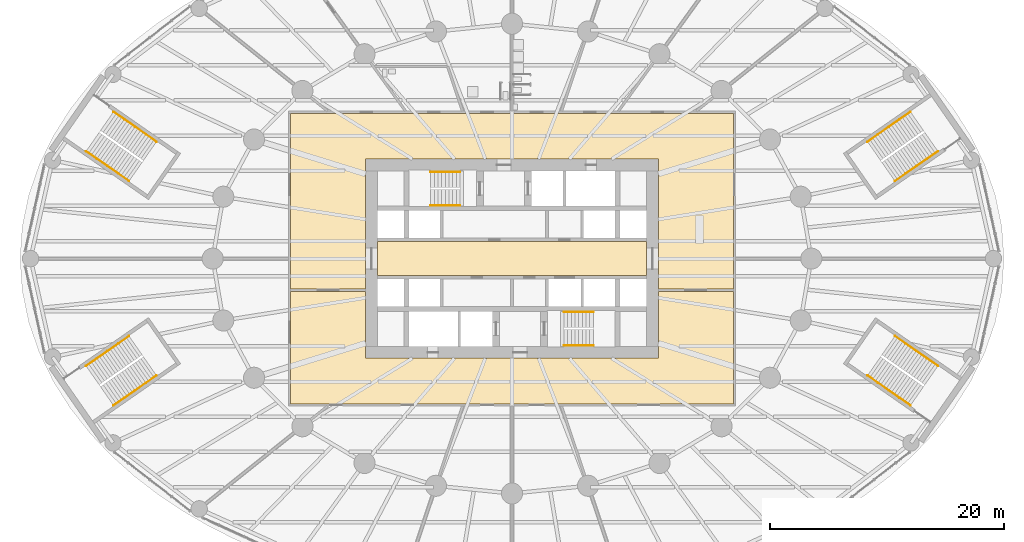
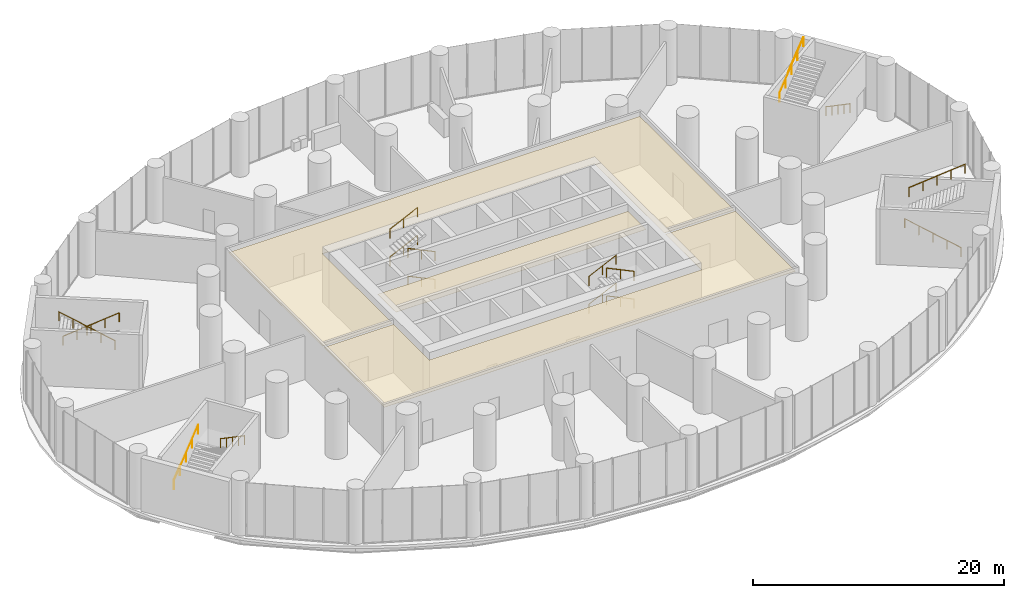
# One storey, part 20 of 23: 16 railings, 3 coverings.
"""IFC4 building model written with IfcOpenShell, lengths in metres."""

from ifc_helpers import new_model, si_unit, direction, frame, origin, origin_2d, place, context, subcontext, project, spatial, polyline, circle, outline, extrude, material, layer, layer_set, type_object, element, save


model = new_model("IFC4")

# Units and contexts
model_context = context("Model", 3, precision=1e-05, world=origin(), true_north=direction((0.0, 1.0)))
body_context = subcontext(model_context, "Body", "Model", "MODEL_VIEW")
ifc_project = project(units=[si_unit("LENGTHUNIT", "METRE"), si_unit("AREAUNIT", "SQUARE_METRE"), si_unit("VOLUMEUNIT", "CUBIC_METRE"), si_unit("PLANEANGLEUNIT", "RADIAN"), si_unit("MASSUNIT", "GRAM", prefix="KILO")], contexts=[model_context])

# Site, building, storey
site_placement = place(None, origin())
site = spatial("IfcSite", under=ifc_project, at=site_placement, CompositionType="ELEMENT")
building_placement = place(site_placement, origin())
building = spatial("IfcBuilding", under=site, at=building_placement, Name="Hankou Lantern Tower", CompositionType="ELEMENT")
storey_placement = place(building_placement, frame((0.0, 0.0, 19.199951171875)))
storey = spatial("IfcBuildingStorey", under=building, at=storey_placement, Name="L03", CompositionType="ELEMENT", Elevation=19.199951171875)

# Coverings
ifc_material_1 = material(Name="Black painted aluminium linear ceiling panels", Category="aluminium")
ifc_layer_1 = layer(ifc_material_1, 0.02490234375)
ifc_layer_set_1 = layer_set([ifc_layer_1], Name="Black painted aluminium linear ceiling panels")
covering_type_1 = type_object("IfcCoveringType", Name="CL1 CORRIDOR CEILING 25", PredefinedType="CEILING", material=ifc_layer_set_1)
covering_1_placement = place(storey_placement, frame((0.0, 0.0, 4.675048828125)))
element("IfcCovering", 1, at=covering_1_placement, inside=storey, type_object=covering_type_1, Name="Corridor ceiling L03", PredefinedType="CEILING", context=body_context, shape_type="SweptSolid", body=[
    extrude(outline(polyline([(-18.89990234375, 12.39990234375), (-18.89990234375, -2.60009765625), (-12.5, -2.60009765625), (-12.5, 8.5), (12.5, 8.5), (12.5, -2.60009765625), (18.89990234375, -2.60009765625), (18.89990234375, 12.39990234375), (-18.89990234375, 12.39990234375)])), origin(), (0.0, 0.0, 1.0), 0.02490234375),
])
covering_2_placement = place(storey_placement, frame((0.0, 0.0, 4.675048828125)))
element("IfcCovering", 2, at=covering_2_placement, inside=storey, type_object=covering_type_1, Name="Corridor ceiling L03", PredefinedType="CEILING", context=body_context, shape_type="SweptSolid", body=[
    extrude(outline(polyline([(18.89990234375, -2.800048828125), (12.5, -2.800048828125), (12.5, -8.5), (-12.5, -8.5), (-12.5, -2.800048828125), (-18.89990234375, -2.800048828125), (-18.89990234375, -12.39990234375), (18.89990234375, -12.39990234375), (18.89990234375, -2.800048828125)])), origin(), (0.0, 0.0, 1.0), 0.02490234375),
])
ifc_material_2 = material(Name="Perforated black aluminium acoustic tray ceiling", Category="aluminium")
ifc_layer_2 = layer(ifc_material_2, 0.014892578125)
ifc_layer_set_2 = layer_set([ifc_layer_2], Name="Perforated black aluminium acoustic tray ceiling")
covering_type_2 = type_object("IfcCoveringType", Name="CL2 LIFT LOBBY CEILING 15", PredefinedType="CEILING", material=ifc_layer_set_2)
covering_3_placement = place(storey_placement, frame((0.0, 0.0, 4.68505859375)))
element("IfcCovering", 3, at=covering_3_placement, inside=storey, type_object=covering_type_2, Name="Lift lobby ceiling L03", PredefinedType="CEILING", context=body_context, shape_type="SweptSolid", body=[
    extrude(outline(polyline([(-11.5, -1.449951171875), (11.5, -1.449951171875), (11.5, 1.449951171875), (-11.5, 1.449951171875), (-11.5, -1.449951171875)])), origin(), (0.0, 0.0, 1.0), 0.014892578125),
])

# Railings
ifc_material_3 = material(Name="Steel handrail", Category="steel")
railing_type = type_object("IfcRailingType", Name="HR1 STAIR HANDRAIL", PredefinedType="HANDRAIL", material=ifc_material_3)
railing_1_placement = place(storey_placement, frame((-4.429931640625, 4.550048828125, 0.900146484375)))
element("IfcRailing", 4, at=railing_1_placement, inside=storey, type_object=railing_type, Name="Handrail stair STA L03 flight 1", PredefinedType="HANDRAIL", context=body_context, shape_type="SweptSolid", body=[
    extrude(circle(Radius=0.02392578125, at=origin_2d()), frame((0.0, 0.0, 0.8759765625), z_axis=(-0.902868602797, 0.0, 0.429916603638), x_axis=(0.0, -1.0, 0.0)), (0.0, 0.0, 1.0), 2.791015625),
    extrude(circle(Radius=0.02099609375, at=origin_2d()), origin(), (0.0, 0.0, 1.0), 0.851806640625),
    extrude(circle(Radius=0.02099609375, at=origin_2d()), frame((-1.260009765625, 0.0, 0.60009765625)), (0.0, 0.0, 1.0), 0.851806640625),
    extrude(circle(Radius=0.02099609375, at=origin_2d()), frame((-2.52001953125, 0.0, 1.199951171875)), (0.0, 0.0, 1.0), 0.851806640625),
])
railing_2_placement = place(storey_placement, frame((-6.949951171875, 7.39990234375, 2.25)))
element("IfcRailing", 5, at=railing_2_placement, inside=storey, type_object=railing_type, Name="Handrail stair STA L03 flight 2", PredefinedType="HANDRAIL", context=body_context, shape_type="SweptSolid", body=[
    extrude(circle(Radius=0.02392578125, at=origin_2d()), frame((0.0, 0.0, 0.8759765625), z_axis=(0.902868602797, 0.0, 0.429916603638), x_axis=(0.0, 1.0, 0.0)), (0.0, 0.0, 1.0), 2.791015625),
    extrude(circle(Radius=0.02099609375, at=origin_2d()), origin(), (0.0, 0.0, 1.0), 0.851806640625),
    extrude(circle(Radius=0.02099609375, at=origin_2d()), frame((1.260009765625, 0.0, 0.60009765625)), (0.0, 0.0, 1.0), 0.851806640625),
    extrude(circle(Radius=0.02099609375, at=origin_2d()), frame((2.52001953125, 0.0, 1.199951171875)), (0.0, 0.0, 1.0), 0.851806640625),
])
railing_3_placement = place(storey_placement, frame((-4.429931640625, 4.550048828125, 3.60009765625)))
element("IfcRailing", 6, at=railing_3_placement, inside=storey, type_object=railing_type, Name="Handrail stair STA L03 flight 3", PredefinedType="HANDRAIL", context=body_context, shape_type="SweptSolid", body=[
    extrude(circle(Radius=0.02392578125, at=origin_2d()), frame((0.0, 0.0, 0.8759765625), z_axis=(-0.902868602797, 0.0, 0.429916603638), x_axis=(0.0, -1.0, 0.0)), (0.0, 0.0, 1.0), 2.791015625),
    extrude(circle(Radius=0.02099609375, at=origin_2d()), origin(), (0.0, 0.0, 1.0), 0.851806640625),
    extrude(circle(Radius=0.02099609375, at=origin_2d()), frame((-1.260009765625, 0.0, 0.60009765625)), (0.0, 0.0, 1.0), 0.851806640625),
    extrude(circle(Radius=0.02099609375, at=origin_2d()), frame((-2.52001953125, 0.0, 1.199951171875)), (0.0, 0.0, 1.0), 0.851806640625),
])
railing_4_placement = place(storey_placement, frame((-6.949951171875, 7.39990234375, 4.949951171875)))
element("IfcRailing", 7, at=railing_4_placement, inside=storey, type_object=railing_type, Name="Handrail stair STA L03 flight 4", PredefinedType="HANDRAIL", context=body_context, shape_type="SweptSolid", body=[
    extrude(circle(Radius=0.02392578125, at=origin_2d()), frame((0.0, 0.0, 0.8759765625), z_axis=(0.902834648938, 0.0, 0.429987902943), x_axis=(0.0, 1.0, 0.0)), (0.0, 0.0, 1.0), 2.791259765625),
    extrude(circle(Radius=0.02099609375, at=origin_2d()), origin(), (0.0, 0.0, 1.0), 0.851806640625),
    extrude(circle(Radius=0.02099609375, at=origin_2d()), frame((1.260009765625, 0.0, 0.60009765625)), (0.0, 0.0, 1.0), 0.851806640625),
    extrude(circle(Radius=0.02099609375, at=origin_2d()), frame((2.52001953125, 0.0, 1.2001953125)), (0.0, 0.0, 1.0), 0.851806640625),
])
railing_5_placement = place(storey_placement, frame((4.429931640625, -4.550048828125, 0.900146484375)))
element("IfcRailing", 8, at=railing_5_placement, inside=storey, type_object=railing_type, Name="Handrail stair STB L03 flight 1", PredefinedType="HANDRAIL", context=body_context, shape_type="SweptSolid", body=[
    extrude(circle(Radius=0.02392578125, at=origin_2d()), frame((0.0, 0.0, 0.8759765625), z_axis=(0.902868602797, 0.0, 0.429916603638), x_axis=(0.0, 1.0, 0.0)), (0.0, 0.0, 1.0), 2.791015625),
    extrude(circle(Radius=0.02099609375, at=origin_2d()), origin(), (0.0, 0.0, 1.0), 0.851806640625),
    extrude(circle(Radius=0.02099609375, at=origin_2d()), frame((1.260009765625, 0.0, 0.60009765625)), (0.0, 0.0, 1.0), 0.851806640625),
    extrude(circle(Radius=0.02099609375, at=origin_2d()), frame((2.52001953125, 0.0, 1.199951171875)), (0.0, 0.0, 1.0), 0.851806640625),
])
railing_6_placement = place(storey_placement, frame((6.949951171875, -7.39990234375, 2.25)))
element("IfcRailing", 9, at=railing_6_placement, inside=storey, type_object=railing_type, Name="Handrail stair STB L03 flight 2", PredefinedType="HANDRAIL", context=body_context, shape_type="SweptSolid", body=[
    extrude(circle(Radius=0.02392578125, at=origin_2d()), frame((0.0, 0.0, 0.8759765625), z_axis=(-0.902868602797, 0.0, 0.429916603638), x_axis=(0.0, -1.0, 0.0)), (0.0, 0.0, 1.0), 2.791015625),
    extrude(circle(Radius=0.02099609375, at=origin_2d()), origin(), (0.0, 0.0, 1.0), 0.851806640625),
    extrude(circle(Radius=0.02099609375, at=origin_2d()), frame((-1.260009765625, 0.0, 0.60009765625)), (0.0, 0.0, 1.0), 0.851806640625),
    extrude(circle(Radius=0.02099609375, at=origin_2d()), frame((-2.52001953125, 0.0, 1.199951171875)), (0.0, 0.0, 1.0), 0.851806640625),
])
railing_7_placement = place(storey_placement, frame((4.429931640625, -4.550048828125, 3.60009765625)))
element("IfcRailing", 10, at=railing_7_placement, inside=storey, type_object=railing_type, Name="Handrail stair STB L03 flight 3", PredefinedType="HANDRAIL", context=body_context, shape_type="SweptSolid", body=[
    extrude(circle(Radius=0.02392578125, at=origin_2d()), frame((0.0, 0.0, 0.8759765625), z_axis=(0.902868602797, 0.0, 0.429916603638), x_axis=(0.0, 1.0, 0.0)), (0.0, 0.0, 1.0), 2.791015625),
    extrude(circle(Radius=0.02099609375, at=origin_2d()), origin(), (0.0, 0.0, 1.0), 0.851806640625),
    extrude(circle(Radius=0.02099609375, at=origin_2d()), frame((1.260009765625, 0.0, 0.60009765625)), (0.0, 0.0, 1.0), 0.851806640625),
    extrude(circle(Radius=0.02099609375, at=origin_2d()), frame((2.52001953125, 0.0, 1.199951171875)), (0.0, 0.0, 1.0), 0.851806640625),
])
railing_8_placement = place(storey_placement, frame((6.949951171875, -7.39990234375, 4.949951171875)))
element("IfcRailing", 11, at=railing_8_placement, inside=storey, type_object=railing_type, Name="Handrail stair STB L03 flight 4", PredefinedType="HANDRAIL", context=body_context, shape_type="SweptSolid", body=[
    extrude(circle(Radius=0.02392578125, at=origin_2d()), frame((0.0, 0.0, 0.8759765625), z_axis=(-0.902834648938, 0.0, 0.429987902943), x_axis=(0.0, -1.0, 0.0)), (0.0, 0.0, 1.0), 2.791259765625),
    extrude(circle(Radius=0.02099609375, at=origin_2d()), origin(), (0.0, 0.0, 1.0), 0.851806640625),
    extrude(circle(Radius=0.02099609375, at=origin_2d()), frame((-1.260009765625, 0.0, 0.60009765625)), (0.0, 0.0, 1.0), 0.851806640625),
    extrude(circle(Radius=0.02099609375, at=origin_2d()), frame((-2.52001953125, 0.0, 1.2001953125)), (0.0, 0.0, 1.0), 0.851806640625),
])
railing_9_placement = place(storey_placement, frame((36.354248046875, 9.16455078125, 0.900146484375)))
element("IfcRailing", 12, at=railing_9_placement, inside=storey, type_object=railing_type, Name="Handrail stair P1 L03 flight 1", PredefinedType="HANDRAIL", context=body_context, shape_type="SweptSolid", body=[
    extrude(circle(Radius=0.02392578125, at=origin_2d()), frame((0.0, 0.0, 0.8759765625), z_axis=(-0.714070760318, -0.496683047438, 0.49336487476), x_axis=(0.571016585655, -0.82093852322, 0.0)), (0.0, 0.0, 1.0), 5.150390625),
    extrude(circle(Radius=0.02099609375, at=origin_2d()), origin(), (0.0, 0.0, 1.0), 0.851806640625),
    extrude(circle(Radius=0.02099609375, at=origin_2d()), frame((-0.91943359375, -0.6396484375, 0.63525390625)), (0.0, 0.0, 1.0), 0.851806640625),
    extrude(circle(Radius=0.02099609375, at=origin_2d()), frame((-1.8388671875, -1.279052734375, 1.2705078125)), (0.0, 0.0, 1.0), 0.851806640625),
    extrude(circle(Radius=0.02099609375, at=origin_2d()), frame((-2.75830078125, -1.91845703125, 1.90576171875)), (0.0, 0.0, 1.0), 0.851806640625),
    extrude(circle(Radius=0.02099609375, at=origin_2d()), frame((-3.677734375, -2.55810546875, 2.541015625)), (0.0, 0.0, 1.0), 0.851806640625),
])
railing_10_placement = place(storey_placement, frame((30.33544921875, 9.97216796875, 3.60009765625)))
element("IfcRailing", 13, at=railing_10_placement, inside=storey, type_object=railing_type, Name="Handrail stair P1 L03 flight 2", PredefinedType="HANDRAIL", context=body_context, shape_type="SweptSolid", body=[
    extrude(circle(Radius=0.02392578125, at=origin_2d()), frame((0.0, 0.0, 0.8759765625), z_axis=(0.714070760318, 0.496683047438, 0.49336487476), x_axis=(-0.571016585655, 0.82093852322, 0.0)), (0.0, 0.0, 1.0), 5.150390625),
    extrude(circle(Radius=0.02099609375, at=origin_2d()), origin(), (0.0, 0.0, 1.0), 0.851806640625),
    extrude(circle(Radius=0.02099609375, at=origin_2d()), frame((0.91943359375, 0.6396484375, 0.63525390625)), (0.0, 0.0, 1.0), 0.851806640625),
    extrude(circle(Radius=0.02099609375, at=origin_2d()), frame((1.8388671875, 1.279052734375, 1.2705078125)), (0.0, 0.0, 1.0), 0.851806640625),
    extrude(circle(Radius=0.02099609375, at=origin_2d()), frame((2.75830078125, 1.91845703125, 1.90576171875)), (0.0, 0.0, 1.0), 0.851806640625),
    extrude(circle(Radius=0.02099609375, at=origin_2d()), frame((3.677734375, 2.55810546875, 2.541015625)), (0.0, 0.0, 1.0), 0.851806640625),
])
railing_11_placement = place(storey_placement, frame((-34.01318359375, 12.5302734375, 0.900146484375)))
element("IfcRailing", 14, at=railing_11_placement, inside=storey, type_object=railing_type, Name="Handrail stair P2 L03 flight 1", PredefinedType="HANDRAIL", context=body_context, shape_type="SweptSolid", body=[
    extrude(circle(Radius=0.02392578125, at=origin_2d()), frame((0.0, 0.0, 0.8759765625), z_axis=(0.714070760318, -0.496683047438, 0.49336487476), x_axis=(0.571016585655, 0.82093852322, 0.0)), (0.0, 0.0, 1.0), 5.150390625),
    extrude(circle(Radius=0.02099609375, at=origin_2d()), origin(), (0.0, 0.0, 1.0), 0.851806640625),
    extrude(circle(Radius=0.02099609375, at=origin_2d()), frame((0.91943359375, -0.6396484375, 0.63525390625)), (0.0, 0.0, 1.0), 0.851806640625),
    extrude(circle(Radius=0.02099609375, at=origin_2d()), frame((1.8388671875, -1.279052734375, 1.2705078125)), (0.0, 0.0, 1.0), 0.851806640625),
    extrude(circle(Radius=0.02099609375, at=origin_2d()), frame((2.75830078125, -1.91845703125, 1.90576171875)), (0.0, 0.0, 1.0), 0.851806640625),
    extrude(circle(Radius=0.02099609375, at=origin_2d()), frame((3.677734375, -2.55810546875, 2.541015625)), (0.0, 0.0, 1.0), 0.851806640625),
])
railing_12_placement = place(storey_placement, frame((-32.676513671875, 6.6064453125, 3.60009765625)))
element("IfcRailing", 15, at=railing_12_placement, inside=storey, type_object=railing_type, Name="Handrail stair P2 L03 flight 2", PredefinedType="HANDRAIL", context=body_context, shape_type="SweptSolid", body=[
    extrude(circle(Radius=0.02392578125, at=origin_2d()), frame((0.0, 0.0, 0.8759765625), z_axis=(-0.714070760318, 0.496683047438, 0.49336487476), x_axis=(-0.571016585655, -0.82093852322, 0.0)), (0.0, 0.0, 1.0), 5.150390625),
    extrude(circle(Radius=0.02099609375, at=origin_2d()), origin(), (0.0, 0.0, 1.0), 0.851806640625),
    extrude(circle(Radius=0.02099609375, at=origin_2d()), frame((-0.91943359375, 0.6396484375, 0.63525390625)), (0.0, 0.0, 1.0), 0.851806640625),
    extrude(circle(Radius=0.02099609375, at=origin_2d()), frame((-1.8388671875, 1.279052734375, 1.2705078125)), (0.0, 0.0, 1.0), 0.851806640625),
    extrude(circle(Radius=0.02099609375, at=origin_2d()), frame((-2.75830078125, 1.91845703125, 1.90576171875)), (0.0, 0.0, 1.0), 0.851806640625),
    extrude(circle(Radius=0.02099609375, at=origin_2d()), frame((-3.677734375, 2.55810546875, 2.541015625)), (0.0, 0.0, 1.0), 0.851806640625),
])
railing_13_placement = place(storey_placement, frame((-36.354248046875, -9.16455078125, 0.900146484375)))
element("IfcRailing", 16, at=railing_13_placement, inside=storey, type_object=railing_type, Name="Handrail stair P3 L03 flight 1", PredefinedType="HANDRAIL", context=body_context, shape_type="SweptSolid", body=[
    extrude(circle(Radius=0.02392578125, at=origin_2d()), frame((0.0, 0.0, 0.8759765625), z_axis=(0.714070760318, 0.496683047438, 0.49336487476), x_axis=(-0.571016585655, 0.82093852322, 0.0)), (0.0, 0.0, 1.0), 5.150390625),
    extrude(circle(Radius=0.02099609375, at=origin_2d()), origin(), (0.0, 0.0, 1.0), 0.851806640625),
    extrude(circle(Radius=0.02099609375, at=origin_2d()), frame((0.91943359375, 0.6396484375, 0.63525390625)), (0.0, 0.0, 1.0), 0.851806640625),
    extrude(circle(Radius=0.02099609375, at=origin_2d()), frame((1.8388671875, 1.279052734375, 1.2705078125)), (0.0, 0.0, 1.0), 0.851806640625),
    extrude(circle(Radius=0.02099609375, at=origin_2d()), frame((2.75830078125, 1.91845703125, 1.90576171875)), (0.0, 0.0, 1.0), 0.851806640625),
    extrude(circle(Radius=0.02099609375, at=origin_2d()), frame((3.677734375, 2.55810546875, 2.541015625)), (0.0, 0.0, 1.0), 0.851806640625),
])
railing_14_placement = place(storey_placement, frame((-30.33544921875, -9.97216796875, 3.60009765625)))
element("IfcRailing", 17, at=railing_14_placement, inside=storey, type_object=railing_type, Name="Handrail stair P3 L03 flight 2", PredefinedType="HANDRAIL", context=body_context, shape_type="SweptSolid", body=[
    extrude(circle(Radius=0.02392578125, at=origin_2d()), frame((0.0, 0.0, 0.8759765625), z_axis=(-0.714070760318, -0.496683047438, 0.49336487476), x_axis=(0.571016585655, -0.82093852322, 0.0)), (0.0, 0.0, 1.0), 5.150390625),
    extrude(circle(Radius=0.02099609375, at=origin_2d()), origin(), (0.0, 0.0, 1.0), 0.851806640625),
    extrude(circle(Radius=0.02099609375, at=origin_2d()), frame((-0.91943359375, -0.6396484375, 0.63525390625)), (0.0, 0.0, 1.0), 0.851806640625),
    extrude(circle(Radius=0.02099609375, at=origin_2d()), frame((-1.8388671875, -1.279052734375, 1.2705078125)), (0.0, 0.0, 1.0), 0.851806640625),
    extrude(circle(Radius=0.02099609375, at=origin_2d()), frame((-2.75830078125, -1.91845703125, 1.90576171875)), (0.0, 0.0, 1.0), 0.851806640625),
    extrude(circle(Radius=0.02099609375, at=origin_2d()), frame((-3.677734375, -2.55810546875, 2.541015625)), (0.0, 0.0, 1.0), 0.851806640625),
])
railing_15_placement = place(storey_placement, frame((34.01318359375, -12.5302734375, 0.900146484375)))
element("IfcRailing", 18, at=railing_15_placement, inside=storey, type_object=railing_type, Name="Handrail stair P4 L03 flight 1", PredefinedType="HANDRAIL", context=body_context, shape_type="SweptSolid", body=[
    extrude(circle(Radius=0.02392578125, at=origin_2d()), frame((0.0, 0.0, 0.8759765625), z_axis=(-0.714070760318, 0.496683047438, 0.49336487476), x_axis=(-0.571016585655, -0.82093852322, 0.0)), (0.0, 0.0, 1.0), 5.150390625),
    extrude(circle(Radius=0.02099609375, at=origin_2d()), origin(), (0.0, 0.0, 1.0), 0.851806640625),
    extrude(circle(Radius=0.02099609375, at=origin_2d()), frame((-0.91943359375, 0.6396484375, 0.63525390625)), (0.0, 0.0, 1.0), 0.851806640625),
    extrude(circle(Radius=0.02099609375, at=origin_2d()), frame((-1.8388671875, 1.279052734375, 1.2705078125)), (0.0, 0.0, 1.0), 0.851806640625),
    extrude(circle(Radius=0.02099609375, at=origin_2d()), frame((-2.75830078125, 1.91845703125, 1.90576171875)), (0.0, 0.0, 1.0), 0.851806640625),
    extrude(circle(Radius=0.02099609375, at=origin_2d()), frame((-3.677734375, 2.55810546875, 2.541015625)), (0.0, 0.0, 1.0), 0.851806640625),
])
railing_16_placement = place(storey_placement, frame((32.676513671875, -6.6064453125, 3.60009765625)))
element("IfcRailing", 19, at=railing_16_placement, inside=storey, type_object=railing_type, Name="Handrail stair P4 L03 flight 2", PredefinedType="HANDRAIL", context=body_context, shape_type="SweptSolid", body=[
    extrude(circle(Radius=0.02392578125, at=origin_2d()), frame((0.0, 0.0, 0.8759765625), z_axis=(0.714070760318, -0.496683047438, 0.49336487476), x_axis=(0.571016585655, 0.82093852322, 0.0)), (0.0, 0.0, 1.0), 5.150390625),
    extrude(circle(Radius=0.02099609375, at=origin_2d()), origin(), (0.0, 0.0, 1.0), 0.851806640625),
    extrude(circle(Radius=0.02099609375, at=origin_2d()), frame((0.91943359375, -0.6396484375, 0.63525390625)), (0.0, 0.0, 1.0), 0.851806640625),
    extrude(circle(Radius=0.02099609375, at=origin_2d()), frame((1.8388671875, -1.279052734375, 1.2705078125)), (0.0, 0.0, 1.0), 0.851806640625),
    extrude(circle(Radius=0.02099609375, at=origin_2d()), frame((2.75830078125, -1.91845703125, 1.90576171875)), (0.0, 0.0, 1.0), 0.851806640625),
    extrude(circle(Radius=0.02099609375, at=origin_2d()), frame((3.677734375, -2.55810546875, 2.541015625)), (0.0, 0.0, 1.0), 0.851806640625),
])

save(model, "model.ifc")
